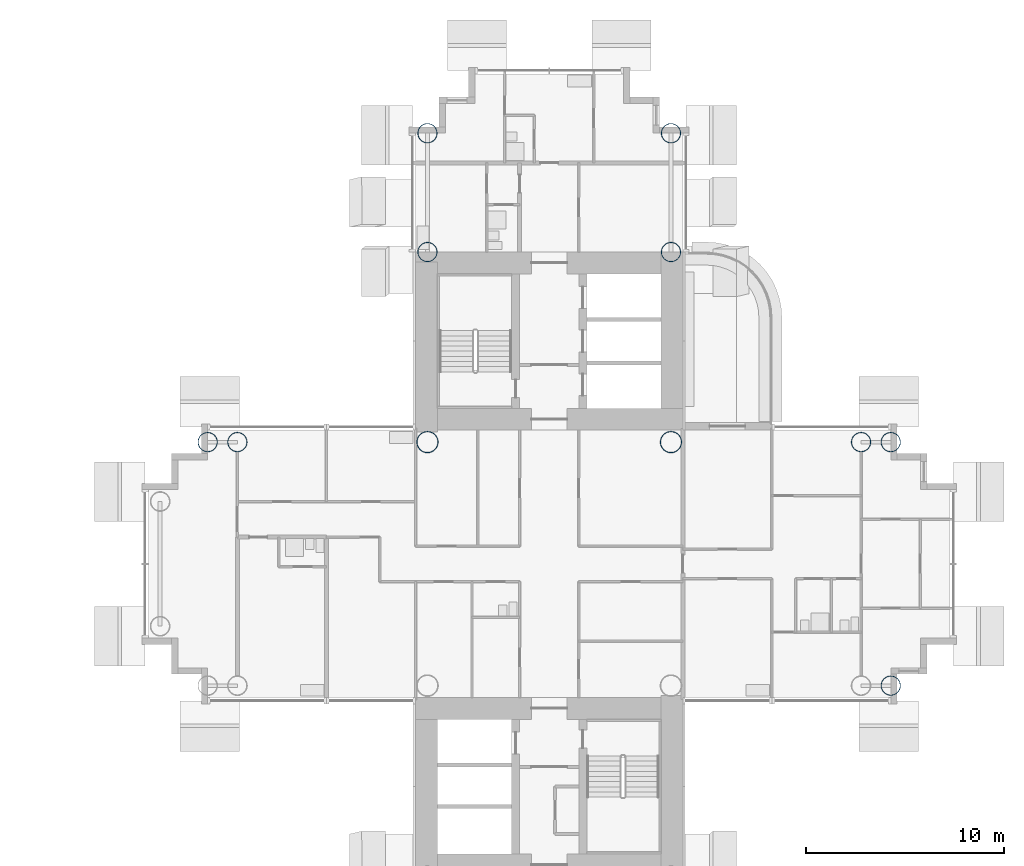
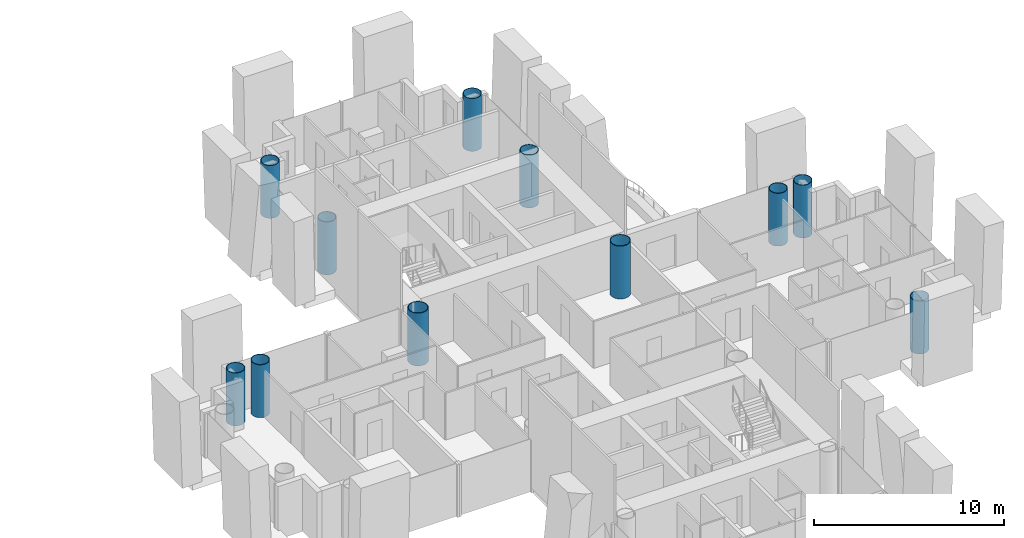
# One storey, part 2 of 25: 11 columns.
"""IFC4 building model written with IfcOpenShell, lengths in metres."""

from ifc_helpers import new_model, si_unit, direction, frame, origin, origin_2d, place, context, subcontext, project, spatial, hollow_circle, extrude, material, material_profile, profile_set, type_object, element, save


model = new_model("IFC4")

# Units and contexts
model_context = context("Model", 3, precision=1e-05, world=origin(), true_north=direction((0.0, 1.0)))
body_context = subcontext(model_context, "Body", "Model", "MODEL_VIEW")
ifc_project = project(units=[si_unit("LENGTHUNIT", "METRE"), si_unit("AREAUNIT", "SQUARE_METRE"), si_unit("VOLUMEUNIT", "CUBIC_METRE"), si_unit("PLANEANGLEUNIT", "RADIAN"), si_unit("MASSUNIT", "GRAM", prefix="KILO")], contexts=[model_context])

# Site, building, storey
site_placement = place(None, origin())
site = spatial("IfcSite", under=ifc_project, at=site_placement, CompositionType="ELEMENT")
building_placement = place(site_placement, origin())
building = spatial("IfcBuilding", under=site, at=building_placement, Name="Ipe Terrace Towers", CompositionType="ELEMENT")
storey_placement = place(building_placement, frame((0.0, 0.0, 65.300048828125)))
storey = spatial("IfcBuildingStorey", under=building, at=storey_placement, Name="L17", CompositionType="ELEMENT", Elevation=65.300048828125)

# Columns
ifc_material_1 = material(Name="Steel S355 tube with Concrete C60/75 fill", Category="concrete")
ifc_material_profile_1 = material_profile(ifc_material_1, hollow_circle(Radius=0.5, WallThickness=0.035888671875, at=origin_2d()), Name="CHS-1000x36")
ifc_profile_set_1 = profile_set([ifc_material_profile_1], Name="Steel S355 tube with Concrete C60/75 fill")
column_type_1 = type_object("IfcColumnType", Name="CH01 COLUMN CHS-1000x36", PredefinedType="COLUMN", material=ifc_profile_set_1)
for number, where, z_axis, x_axis, name in (
    (1, (42.14990234375, 15.75, 0.0), (0.0, 0.0, 1.0), (1.0, 0.0, 0.0), "Column T2-C-A01"),
    (2, (29.85009765625, 15.75, 0.0), (0.0, 0.0, 1.0), (1.0, 0.0, 0.0), "Column T2-C-A02"),
    (3, (42.14990234375, 21.75, 0.0), (0.0, 0.0, 1.0), (1.0, 0.0, 0.0), "Column T2-C-A03"),
    (4, (29.85009765625, 21.75, 0.0), (0.0, 0.0, 1.0), (1.0, 0.0, 0.0), "Column T2-C-A04"),
    (5, (20.25, 6.14990234375, 0.0), (0.0, 0.0, 1.0), (1.0, 0.0, 0.0), "Column T2-C-B03"),
    (6, (18.75, 6.14990234375, 0.0), (0.0, 0.0, 1.0), (1.0, 0.0, 0.0), "Column T2-C-B05"),
    (7, (51.75, 6.14990234375, 0.0), (0.0, 0.0, 1.0), (1.0, 0.0, 0.0), "Column T2-C-D04"),
    (8, (53.25, -6.14990234375, 0.0), (0.0, 0.0, 1.0), (1.0, 0.0, 0.0), "Column T2-C-D05"),
    (9, (53.25, 6.14990234375, 0.0), (0.0, 0.0, 1.0), (1.0, 0.0, 0.0), "Column T2-C-D06"),
):
    element("IfcColumn", number, at=place(storey_placement, frame(where, z_axis=z_axis, x_axis=x_axis)), inside=storey, type_object=column_type_1, Name=name, PredefinedType="COLUMN", context=body_context, shape_type="SweptSolid", body=[
        extrude(hollow_circle(Radius=0.5, WallThickness=0.035888671875, at=origin_2d()), origin(), (0.0, 0.0, 1.0), 3.39990234375),
    ])
ifc_material_2 = material(Name="Steel S355 tube with Concrete C60/75 fill", Category="concrete")
ifc_material_profile_2 = material_profile(ifc_material_2, hollow_circle(Radius=0.550048828125, WallThickness=0.0400390625, at=origin_2d()), Name="CHS-1100x40")
ifc_profile_set_2 = profile_set([ifc_material_profile_2], Name="Steel S355 tube with Concrete C60/75 fill")
column_type_2 = type_object("IfcColumnType", Name="CH02 COLUMN CHS-1100x40", PredefinedType="COLUMN", material=ifc_profile_set_2)
for number, where, z_axis, x_axis, name in (
    (10, (42.14990234375, 6.14990234375, 0.0), (0.0, 0.0, 1.0), (1.0, 0.0, 0.0), "Column T2-C-E02"),
    (11, (29.85009765625, 6.14990234375, 0.0), (0.0, 0.0, 1.0), (1.0, 0.0, 0.0), "Column T2-C-E03"),
):
    element("IfcColumn", number, at=place(storey_placement, frame(where, z_axis=z_axis, x_axis=x_axis)), inside=storey, type_object=column_type_2, Name=name, PredefinedType="COLUMN", context=body_context, shape_type="SweptSolid", body=[
        extrude(hollow_circle(Radius=0.550048828125, WallThickness=0.0400390625, at=origin_2d()), origin(), (0.0, 0.0, 1.0), 3.39990234375),
    ])

save(model, "model.ifc")
